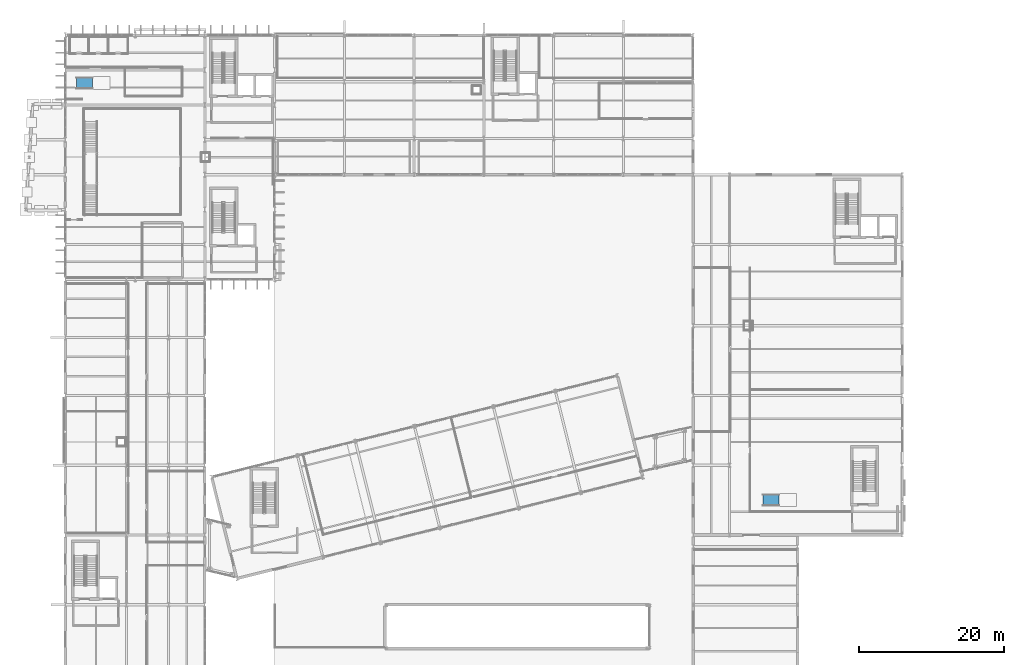
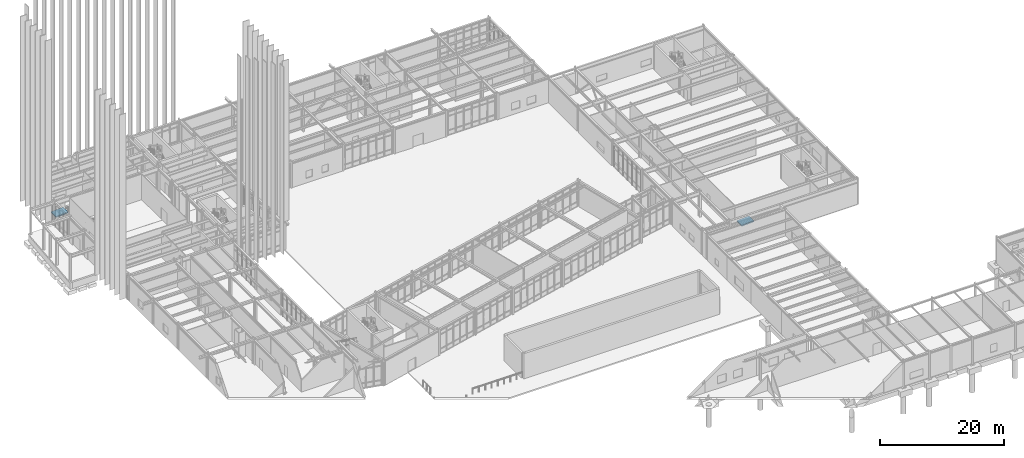
# One storey, part 98 of 109: 2 ramp flights, 2 elements without a shape of their own.
"""IFC4 building model written with IfcOpenShell, lengths in metres."""

from ifc_helpers import new_model, si_unit, direction, frame, origin, place, context, subcontext, project, spatial, polyline, outline, extrude, material, layer, layer_set, type_object, element, aggregate, save


model = new_model("IFC4")

# Units and contexts
model_context = context("Model", 3, precision=1e-05, world=origin(), true_north=direction((0.0, 1.0)))
body_context = subcontext(model_context, "Body", "Model", "MODEL_VIEW")
ifc_project = project(units=[si_unit("LENGTHUNIT", "METRE"), si_unit("AREAUNIT", "SQUARE_METRE"), si_unit("VOLUMEUNIT", "CUBIC_METRE"), si_unit("PLANEANGLEUNIT", "RADIAN"), si_unit("MASSUNIT", "GRAM", prefix="KILO")], contexts=[model_context])

# Site, building, storey
site_placement = place(None, origin())
site = spatial("IfcSite", under=ifc_project, at=site_placement, CompositionType="ELEMENT")
building_placement = place(site_placement, origin())
building = spatial("IfcBuilding", under=site, at=building_placement, Name="Nordkorset Police Headquarters", CompositionType="ELEMENT")
storey_placement = place(building_placement, origin())
storey = spatial("IfcBuildingStorey", under=building, at=storey_placement, Name="L00", CompositionType="ELEMENT", Elevation=0.0)

# Ramp, ramp flight
ifc_material_1 = material(Name="Concrete C35/45", Category="concrete")
ramp_type = type_object("IfcRampType", Name="Ramp_Access_1600", PredefinedType="STRAIGHT_RUN_RAMP", material=ifc_material_1)
ramp_1_placement = place(storey_placement, origin())
ramp_1 = element("IfcRamp", 1, at=ramp_1_placement, inside=storey, type_object=ramp_type, Name="Press Hall Speaker Dais Ramp", PredefinedType="STRAIGHT_RUN_RAMP")
ifc_material_2 = material(Name="Concrete C35/45", Category="concrete")
ifc_layer = layer(ifc_material_2, 0.219970703125, Name="Concrete C35/45")
ifc_layer_set = layer_set([ifc_layer], Name="Concrete C35/45")
ramp_flight_type = type_object("IfcRampFlightType", Name="RampFlight_Access_1600", PredefinedType="STRAIGHT", material=ifc_layer_set)
ramp_flight_1_placement = place(storey_placement, frame((1.5, 110.199951171875, 0.0), z_axis=(0.0, 0.0, 1.0), x_axis=(1.0, 0.0, 0.0)))
ramp_flight_1 = element("IfcRampFlight", 2, at=ramp_flight_1_placement, type_object=ramp_flight_type, Name="Press Hall Speaker Dais Ramp Flight", PredefinedType="STRAIGHT", context=body_context, shape_type="SweptSolid", body=[
    extrude(outline(polyline([(0.0, 0.0), (2.239990234375, 0.139892578125), (2.239990234375, -0.080078125), (0.0, -0.219970703125), (0.0, 0.0)])), frame((0.0, 0.800048828125, 0.0), z_axis=(0.0, -1.0, 0.0), x_axis=(1.0, 0.0, 0.0)), (0.0, 0.0, 1.0), 1.60009765625),
])
aggregate(ramp_1, [ramp_flight_1])

ramp_2_placement = place(storey_placement, origin())
ramp_2 = element("IfcRamp", 3, at=ramp_2_placement, inside=storey, type_object=ramp_type, Name="Patrol Briefing Dais Ramp", PredefinedType="STRAIGHT_RUN_RAMP")
ramp_flight_2_placement = place(storey_placement, frame((96.0, 52.800048828125, 0.0), z_axis=(0.0, 0.0, 1.0), x_axis=(1.0, 0.0, 0.0)))
ramp_flight_2 = element("IfcRampFlight", 4, at=ramp_flight_2_placement, type_object=ramp_flight_type, Name="Patrol Briefing Dais Ramp Flight", PredefinedType="STRAIGHT", context=body_context, shape_type="SweptSolid", body=[
    extrude(outline(polyline([(0.0, 0.0), (2.239990234375, 0.139892578125), (2.239990234375, -0.080078125), (0.0, -0.219970703125), (0.0, 0.0)])), frame((0.0, 0.800048828125, 0.0), z_axis=(0.0, -1.0, 0.0), x_axis=(1.0, 0.0, 0.0)), (0.0, 0.0, 1.0), 1.60009765625),
])
aggregate(ramp_2, [ramp_flight_2])

save(model, "model.ifc")
